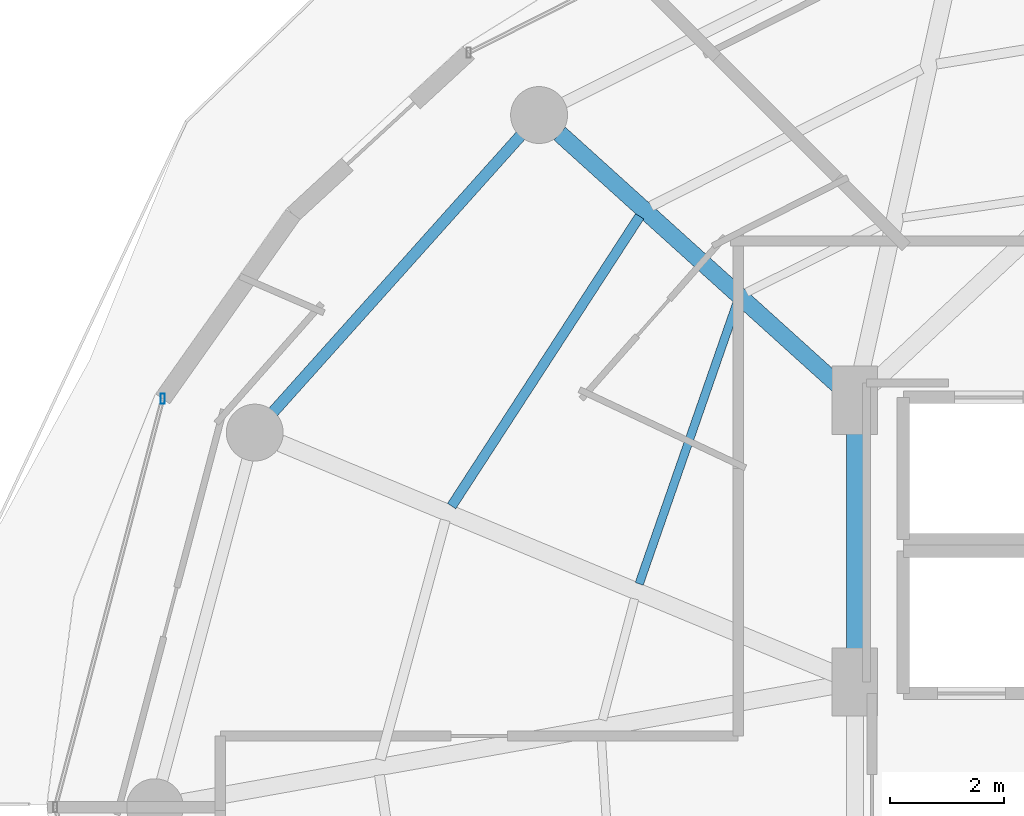
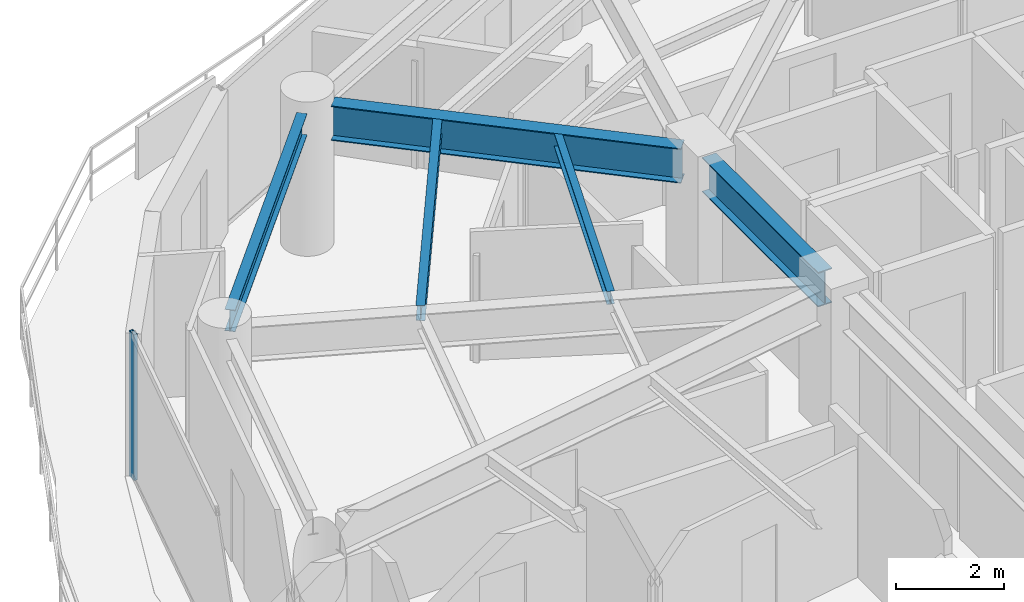
# One storey, part 9 of 31: 5 beams, 1 member, 1 element without a shape of its own.
"""IFC4 building model written with IfcOpenShell, lengths in metres."""

import ifcopenshell
import ifcopenshell.guid

model = None  # the IFC model being written
_history = None  # IfcOwnerHistory: only IFC2X3 demands one
_inside = {}  # id of a spatial element -> (the spatial element, [elements in it])
_under = {}  # id of a project, library or spatial element -> (it, [spatial elements below it])
_declared = {}  # id of a project -> (the project, [libraries it declares])
_typed = {}  # id of a type object -> (the type object, [elements of that type])
_made_of = {}  # id of a material, layer set ... -> (it, [elements and type objects made of it])


def new_model(schema):
    """Start an empty IFC model of exactly this schema.

    Asked for "IFC4X3", IfcOpenShell would pick the latest addendum, in which some entities
    have other attributes; the version numbers below select the first issue.
    IFC2X3 requires an IfcOwnerHistory on every rooted entity: one is made here for all.
    """
    global model, _history
    if schema == "IFC4X3":
        model = ifcopenshell.file(schema_version=(4, 3, 0, 0))
    else:
        model = ifcopenshell.file(schema=schema)
    _inside.clear()
    _under.clear()
    _declared.clear()
    _typed.clear()
    _made_of.clear()
    _history = None
    if model.schema == "IFC2X3":
        org = make("IfcOrganization", Name="unknown")
        user = make(
            "IfcPersonAndOrganization",
            ThePerson=make("IfcPerson", FamilyName="unknown"),
            TheOrganization=org,
        )
        app = make(
            "IfcApplication",
            ApplicationDeveloper=org,
            Version="unknown",
            ApplicationFullName="unknown",
            ApplicationIdentifier="unknown",
        )
        _history = make(
            "IfcOwnerHistory",
            OwningUser=user,
            OwningApplication=app,
            ChangeAction="ADDED",
            CreationDate=0,
        )
    return model


def make(cls, **values):
    """One entity of the class cls with the attributes given. An attribute that is None is left unset."""
    return model.create_entity(
        cls, **{name: value for name, value in values.items() if value is not None}
    )


def rooted(cls, **values):
    """An entity with a GlobalId (a new one), such as an element, a storey or a relation."""
    return make(cls, GlobalId=ifcopenshell.guid.new(), OwnerHistory=_history, **values)


def si_unit(unit_type, name, prefix=None):
    """IfcSIUnit, for example si_unit("LENGTHUNIT", "METRE", prefix="MILLI")."""
    return make("IfcSIUnit", UnitType=unit_type, Prefix=prefix, Name=name)


def assignment(units):
    """IfcUnitAssignment: the units of a project."""
    return None if units is None else make("IfcUnitAssignment", Units=units)


def point(xyz):
    """IfcCartesianPoint."""
    return None if xyz is None else make("IfcCartesianPoint", Coordinates=xyz)


def direction(xyz):
    """IfcDirection."""
    return None if xyz is None else make("IfcDirection", DirectionRatios=xyz)


def frame(location, z_axis=None, x_axis=None):
    """IfcAxis2Placement3D, a coordinate frame: its origin and axes. An axis left out is left unset."""
    return make(
        "IfcAxis2Placement3D",
        Location=point(location),
        Axis=direction(z_axis),
        RefDirection=direction(x_axis),
    )


def frame_2d(location, x_axis=None):
    """IfcAxis2Placement2D, a coordinate frame in the plane: its origin and x axis."""
    return make(
        "IfcAxis2Placement2D", Location=point(location), RefDirection=direction(x_axis)
    )


def origin():
    """The frame at (0, 0, 0) with its axes left unset."""
    return frame((0.0, 0.0, 0.0))


def origin_2d():
    """The frame at (0, 0) in the plane with its x axis left unset."""
    return frame_2d((0.0, 0.0))


def place(relative_to, where):
    """IfcLocalPlacement: puts the frame where relative to a parent placement (None: the world)."""
    return make(
        "IfcLocalPlacement", PlacementRelTo=relative_to, RelativePlacement=where
    )


def context(
    kind, dimensions, precision=None, world=None, true_north=None, identifier=None
):
    """IfcGeometricRepresentationContext, for example the 3D "Model" context."""
    return make(
        "IfcGeometricRepresentationContext",
        ContextIdentifier=identifier,
        ContextType=kind,
        CoordinateSpaceDimension=dimensions,
        Precision=precision,
        WorldCoordinateSystem=world,
        TrueNorth=true_north,
    )


def subcontext(parent, identifier, kind, view, scale=None):
    """IfcGeometricRepresentationSubContext, for example "Body" below "Model"."""
    return make(
        "IfcGeometricRepresentationSubContext",
        ContextIdentifier=identifier,
        ContextType=kind,
        ParentContext=parent,
        TargetScale=scale,
        TargetView=view,
    )


def project(units=None, contexts=None):
    """IfcProject with its units and contexts."""
    return rooted(
        "IfcProject",
        Name="project",
        RepresentationContexts=contexts,
        UnitsInContext=assignment(units),
    )


def spatial(cls, under=None, at=None, **own):
    """A site, building, storey or space (cls), placed at a placement, below another one or the project."""
    s = rooted(cls, ObjectPlacement=at, **own)
    if under is not None:
        _under.setdefault(under.id(), (under, []))[1].append(s)
    return s


def profile(cls, at=None, kind="AREA", **sizes):
    """A parametric profile (cls). Its sizes go by their IFC names, for example OverallWidth=200.0."""
    return make(cls, ProfileType=kind, Position=at, **sizes)


def hollow_rectangle(**sizes):
    """IfcRectangleHollowProfileDef."""
    return profile("IfcRectangleHollowProfileDef", **sizes)


def i_section(**sizes):
    """IfcIShapeProfileDef."""
    return profile("IfcIShapeProfileDef", **sizes)


def extrude(swept, where, along, depth):
    """IfcExtrudedAreaSolid: the profile swept, set in the frame where, extruded along a direction by depth."""
    return make(
        "IfcExtrudedAreaSolid",
        SweptArea=swept,
        Position=where,
        ExtrudedDirection=direction(along),
        Depth=depth,
    )


def shape(context_of_items, identifier, shape_type, items):
    """IfcShapeRepresentation: the items that make up one representation, for example the "Body"."""
    return make(
        "IfcShapeRepresentation",
        ContextOfItems=context_of_items,
        RepresentationIdentifier=identifier,
        RepresentationType=shape_type,
        Items=items,
    )


def material(Name=None, Category=None):
    """IfcMaterial."""
    return make("IfcMaterial", Name=Name, Category=Category)


def material_profile(
    of_material, cross_section, Name=None, Category=None, Priority=None
):
    """IfcMaterialProfile: a cross section and its material."""
    return make(
        "IfcMaterialProfile",
        Name=Name,
        Material=of_material,
        Profile=cross_section,
        Priority=Priority,
        Category=Category,
    )


def profile_set(profiles, Name=None, composite=None):
    """IfcMaterialProfileSet."""
    return make(
        "IfcMaterialProfileSet",
        Name=Name,
        MaterialProfiles=profiles,
        CompositeProfile=composite,
    )


def made_of(thing, what):
    """Note that an element or type object is made of a material, layer set ...; save() writes the relation."""
    if what is not None:
        _made_of.setdefault(what.id(), (what, []))[1].append(thing)
    return thing


def type_object(cls, material=None, **own):
    """A type object (cls), such as IfcWallType, which elements share."""
    return made_of(rooted(cls, **own), material)


def element(
    cls,
    number,
    at=None,
    inside=None,
    cuts=None,
    type_object=None,
    material=None,
    context=None,
    identifier="Body",
    shape_type=None,
    held_by="IfcProductDefinitionShape",
    body=None,
    shapes=None,
    **own,
):
    """One element of the class cls, such as IfcWall. Its Tag is "e" and its number.

    at: its placement. inside: the storey or other place that contains it. cuts: it is an
    opening in that element (IfcRelVoidsElement). A single representation is given by context,
    identifier, shape_type and body (its items); several are given by shapes. held_by: the class
    of the entity that holds the representations. save() writes the other relations.
    """
    e = rooted(cls, Tag="e%d" % number, ObjectPlacement=at, **own)
    if body is not None:
        shapes = [shape(context, identifier, shape_type, body)]
    if shapes is not None:
        e.Representation = make(held_by, Representations=shapes)
    if inside is not None:
        _inside.setdefault(inside.id(), (inside, []))[1].append(e)
    if cuts is not None:
        rooted(
            "IfcRelVoidsElement", RelatingBuildingElement=cuts, RelatedOpeningElement=e
        )
    if type_object is not None:
        _typed.setdefault(type_object.id(), (type_object, []))[1].append(e)
    return made_of(e, material)


def aggregate(whole, parts):
    """IfcRelAggregates: a whole, such as a stair, and the parts it consists of."""
    return rooted("IfcRelAggregates", RelatingObject=whole, RelatedObjects=parts)


def save(model, path):
    """Write the relations noted so far, then the file.

    IfcRelAggregates (storeys below a building ...), IfcRelContainedInSpatialStructure (elements
    in a storey), IfcRelDefinesByType, IfcRelAssociatesMaterial and IfcRelDeclares: one each for
    every whole, place, type object, material and project.
    """
    for whole, parts in _under.values():
        aggregate(whole, parts)
    for where, things in _inside.values():
        rooted(
            "IfcRelContainedInSpatialStructure",
            RelatedElements=things,
            RelatingStructure=where,
        )
    for kind, things in _typed.values():
        rooted("IfcRelDefinesByType", RelatedObjects=things, RelatingType=kind)
    for what, things in _made_of.values():
        rooted("IfcRelAssociatesMaterial", RelatedObjects=things, RelatingMaterial=what)
    for by, libraries in _declared.values():
        rooted("IfcRelDeclares", RelatingContext=by, RelatedDefinitions=libraries)
    model.write(path)


model = new_model("IFC4")

# Units and contexts
model_context = context("Model", 3, precision=1e-05, world=origin(), true_north=direction((0.0, 1.0)))
body_context = subcontext(model_context, "Body", "Model", "MODEL_VIEW")
ifc_project = project(units=[si_unit("LENGTHUNIT", "METRE"), si_unit("AREAUNIT", "SQUARE_METRE"), si_unit("VOLUMEUNIT", "CUBIC_METRE"), si_unit("PLANEANGLEUNIT", "RADIAN"), si_unit("MASSUNIT", "GRAM", prefix="KILO")], contexts=[model_context])

# Site, building, storey
site_placement = place(None, origin())
site = spatial("IfcSite", under=ifc_project, at=site_placement, CompositionType="ELEMENT")
building_placement = place(site_placement, origin())
building = spatial("IfcBuilding", under=site, at=building_placement, Name="Vorneva Point Tower", CompositionType="ELEMENT")
storey_placement = place(building_placement, frame((0.0, 0.0, 136.10009765625)))
storey = spatial("IfcBuildingStorey", under=building, at=storey_placement, Name="L36", CompositionType="ELEMENT", Elevation=136.10009765625)

# Beams
ifc_material_1 = material(Name="Steel S355", Category="steel")
ifc_material_profile_1 = material_profile(ifc_material_1, i_section(OverallWidth=0.300048828125, OverallDepth=0.7880859375, WebThickness=0.014404296875, FlangeThickness=0.02197265625, at=origin_2d()), Name="80Sh1")
ifc_profile_set_1 = profile_set([ifc_material_profile_1], Name="Steel S355")
beam_type_1 = type_object("IfcBeamType", Name="BM-GRD-80Sh1", PredefinedType="USERDEFINED", material=ifc_profile_set_1)
beam_1_placement = place(storey_placement, frame((22.063232421875, 37.835205078125, 2.845947265625), z_axis=(0.742084379637, -0.670306477292, 0.0), x_axis=(0.670306477292, 0.742084379637, 0.0)))
element("IfcBeam", 1, at=beam_1_placement, inside=storey, type_object=beam_type_1, Name="L36 Radial Primary Girder 07", ObjectType="GIRDER", PredefinedType="USERDEFINED", context=body_context, shape_type="SweptSolid", body=[
    extrude(i_section(OverallWidth=0.300048828125, OverallDepth=0.7880859375, WebThickness=0.014404296875, FlangeThickness=0.02197265625, at=origin_2d()), origin(), (0.0, 0.0, 1.0), 6.649658203125),
])
beam_2_placement = place(storey_placement, frame((27.25, 28.52001953125, 2.845947265625), z_axis=(0.0, 1.0, 0.0), x_axis=(-1.0, 0.0, 0.0)))
element("IfcBeam", 2, at=beam_2_placement, inside=storey, type_object=beam_type_1, Name="L36 Core Tie Girder CT2", ObjectType="GIRDER", PredefinedType="USERDEFINED", context=body_context, shape_type="SweptSolid", body=[
    extrude(i_section(OverallWidth=0.300048828125, OverallDepth=0.7880859375, WebThickness=0.014404296875, FlangeThickness=0.02197265625, at=origin_2d()), origin(), (0.0, 0.0, 1.0), 4.31005859375),
])
ifc_material_profile_2 = material_profile(ifc_material_1, i_section(OverallWidth=0.14892578125, OverallDepth=0.298095703125, WebThickness=0.005615234375, FlangeThickness=0.008056640625, at=origin_2d()), Name="30B1")
ifc_profile_set_2 = profile_set([ifc_material_profile_2], Name="Steel S355")
beam_type_2 = type_object("IfcBeamType", Name="BM-JST-30B1", PredefinedType="JOIST", material=ifc_profile_set_2)
beam_3_placement = place(storey_placement, frame((25.17578125, 34.852294921875, 3.0908203125), z_axis=(-0.328761958151, -0.944412820155, 0.0), x_axis=(0.944412820155, -0.328761958151, 0.0)))
element("IfcBeam", 3, at=beam_3_placement, inside=storey, type_object=beam_type_2, Name="L36 Secondary Floor Beam 2.07", PredefinedType="JOIST", context=body_context, shape_type="SweptSolid", body=[
    extrude(i_section(OverallWidth=0.14892578125, OverallDepth=0.298095703125, WebThickness=0.005615234375, FlangeThickness=0.008056640625, at=origin_2d()), origin(), (0.0, 0.0, 1.0), 5.21826171875),
])
ifc_material_profile_3 = material_profile(ifc_material_1, i_section(OverallWidth=0.174072265625, OverallDepth=0.345947265625, WebThickness=0.006103515625, FlangeThickness=0.009033203125, at=origin_2d()), Name="35B1")
ifc_profile_set_3 = profile_set([ifc_material_profile_3], Name="Steel S355")
beam_type_3 = type_object("IfcBeamType", Name="BM-SEC-35B1", PredefinedType="BEAM", material=ifc_profile_set_3)
beam_4_placement = place(storey_placement, frame((23.468505859375, 36.382080078125, 3.06689453125), z_axis=(-0.544400002832, -0.83882574884, 0.0), x_axis=(0.83882574884, -0.544400002832, 0.0)))
element("IfcBeam", 4, at=beam_4_placement, inside=storey, type_object=beam_type_3, Name="L36 Secondary Floor Beam 1.07", PredefinedType="BEAM", context=body_context, shape_type="SweptSolid", body=[
    extrude(i_section(OverallWidth=0.174072265625, OverallDepth=0.345947265625, WebThickness=0.006103515625, FlangeThickness=0.009033203125, at=origin_2d()), origin(), (0.0, 0.0, 1.0), 6.069091796875),
])
ifc_material_profile_4 = material_profile(ifc_material_1, i_section(OverallWidth=0.199951171875, OverallDepth=0.491943359375, WebThickness=0.0087890625, FlangeThickness=0.011962890625, at=origin_2d()), Name="50B1")
ifc_profile_set_4 = profile_set([ifc_material_profile_4], Name="Steel S355")
beam_type_4 = type_object("IfcBeamType", Name="BM-SPN-50B1", PredefinedType="SPANDREL", material=ifc_profile_set_4)
beam_5_placement = place(storey_placement, frame((21.377685546875, 37.80078125, 2.993896484375), z_axis=(-0.667111118975, -0.74495822362, 0.0), x_axis=(0.74495822362, -0.667111118975, 0.0)))
element("IfcBeam", 5, at=beam_5_placement, inside=storey, type_object=beam_type_4, Name="L36 Perimeter Spandrel Ring Beam 07", PredefinedType="SPANDREL", context=body_context, shape_type="SweptSolid", body=[
    extrude(i_section(OverallWidth=0.199951171875, OverallDepth=0.491943359375, WebThickness=0.0087890625, FlangeThickness=0.011962890625, at=origin_2d()), origin(), (0.0, 0.0, 1.0), 6.52001953125),
])

# Curtain wall, member
ifc_material_2 = material(Name="Pale anodised aluminium", Category="aluminium")
curtain_wall_type = type_object("IfcCurtainWallType", Name="CW-RES-SYS", PredefinedType="NOTDEFINED", material=ifc_material_2)
curtain_wall_placement = place(storey_placement, origin())
curtain_wall = element("IfcCurtainWall", 6, at=curtain_wall_placement, inside=storey, type_object=curtain_wall_type, Name="L36 Unitised Curtain Wall CW-L36-R03", PredefinedType="NOTDEFINED")
ifc_material_profile_5 = material_profile(ifc_material_2, hollow_rectangle(XDim=0.074951171875, YDim=0.179931640625, WallThickness=0.00390625, at=origin_2d()), Name="AL-MUL 180x75x4")
ifc_profile_set_5 = profile_set([ifc_material_profile_5], Name="Pale anodised aluminium")
member_type = type_object("IfcMemberType", Name="CW-MUL-180", PredefinedType="MULLION", material=ifc_profile_set_5)
member_placement = place(storey_placement, frame((15.087890625, 33.17529296875, -0.0400390625), z_axis=(0.0, 0.0, 1.0), x_axis=(1.0, 0.0, 0.0)))
member = element("IfcMember", 7, at=member_placement, type_object=member_type, Name="CW-L36-R03 Mullion 01", PredefinedType="MULLION", context=body_context, shape_type="SweptSolid", body=[
    extrude(hollow_rectangle(XDim=0.074951171875, YDim=0.179931640625, WallThickness=0.00390625, at=origin_2d()), origin(), (0.0, 0.0, 1.0), 3.31005859375),
])
aggregate(curtain_wall, [member])

save(model, "model.ifc")
